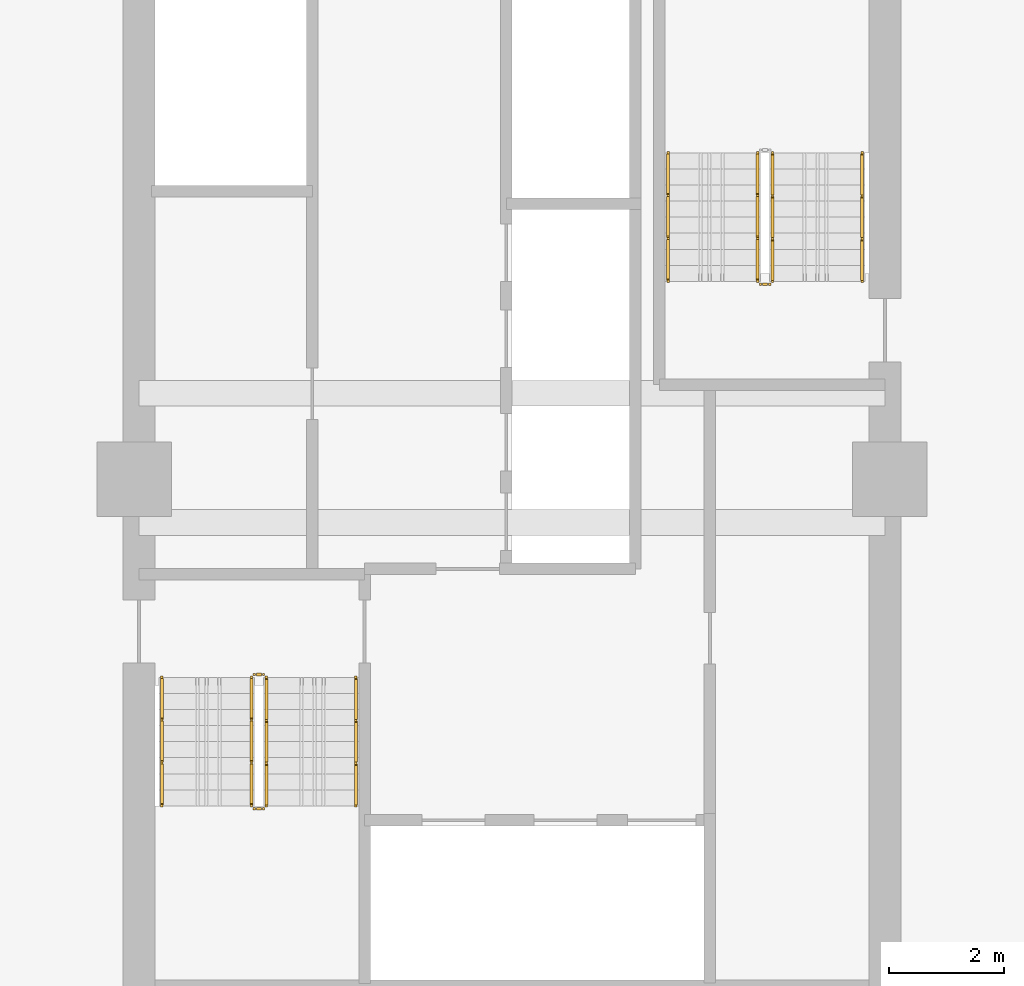
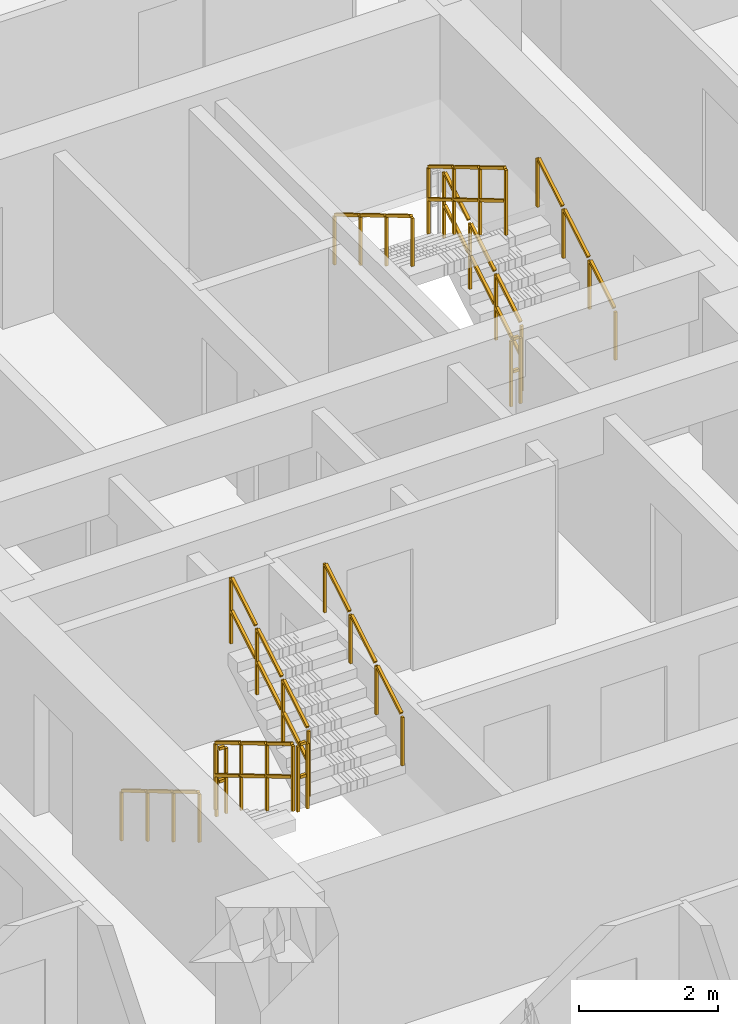
# One storey, part 20 of 22: 11 railings.
"""IFC4 building model written with IfcOpenShell, lengths in metres."""

from ifc_helpers import new_model, si_unit, direction, frame, origin, origin_2d, place, context, subcontext, project, spatial, rectangle, extrude, material, type_object, element, save


model = new_model("IFC4")

# Units and contexts
model_context = context("Model", 3, precision=1e-05, world=origin(), true_north=direction((0.0, 1.0)))
body_context = subcontext(model_context, "Body", "Model", "MODEL_VIEW")
ifc_project = project(units=[si_unit("LENGTHUNIT", "METRE"), si_unit("AREAUNIT", "SQUARE_METRE"), si_unit("VOLUMEUNIT", "CUBIC_METRE"), si_unit("PLANEANGLEUNIT", "RADIAN"), si_unit("MASSUNIT", "GRAM", prefix="KILO")], contexts=[model_context])

# Site, building, storey
site_placement = place(None, origin())
site = spatial("IfcSite", under=ifc_project, at=site_placement, CompositionType="ELEMENT")
building_placement = place(site_placement, origin())
building = spatial("IfcBuilding", under=site, at=building_placement, Name="Saelheon Loggia Tower", CompositionType="ELEMENT")
storey_placement = place(building_placement, frame((0.0, 0.0, 135.75)))
storey = spatial("IfcBuildingStorey", under=building, at=storey_placement, Name="L43", CompositionType="ELEMENT", Elevation=135.75)

# Railings
ifc_material_1 = material(Name="Galvanised Steel S275 Stairwell Guardrail", Category="steel")
railing_type_1 = type_object("IfcRailingType", Name="Guard_StairWell_RL_STG", PredefinedType="GUARDRAIL", material=ifc_material_1)
railing_1_placement = place(storey_placement, frame((33.4599609375, 23.550048828125, 0.166748046875)))
element("IfcRailing", 1, at=railing_1_placement, inside=storey, type_object=railing_type_1, Name="L43 ST1 stair guard 1", PredefinedType="GUARDRAIL", context=body_context, shape_type="SweptSolid", body=[
    extrude(rectangle(XDim=0.048095703125, YDim=0.048095703125, at=origin_2d()), frame((0.0, -0.028564453125, 1.19287109375), z_axis=(0.0, -0.859305625298, 0.511462454469), x_axis=(1.0, 0.0, 0.0)), (0.0, 0.0, 1.0), 0.802490234375),
    extrude(rectangle(XDim=0.048095703125, YDim=0.048095703125, at=origin_2d()), frame((0.0, -0.028564453125, 0.616943359375), z_axis=(0.0, -0.859305625298, 0.511462454469), x_axis=(1.0, 0.0, 0.0)), (0.0, 0.0, 1.0), 0.802490234375),
    extrude(rectangle(XDim=0.048095703125, YDim=0.048095703125, at=origin_2d()), frame((0.0, -0.775146484375, 1.63720703125), z_axis=(0.0, -0.859305625298, 0.511462454469), x_axis=(1.0, 0.0, 0.0)), (0.0, 0.0, 1.0), 0.802490234375),
    extrude(rectangle(XDim=0.048095703125, YDim=0.048095703125, at=origin_2d()), frame((0.0, -0.775146484375, 1.061279296875), z_axis=(0.0, -0.859305625298, 0.511462454469), x_axis=(1.0, 0.0, 0.0)), (0.0, 0.0, 1.0), 0.802490234375),
    extrude(rectangle(XDim=0.048095703125, YDim=0.048095703125, at=origin_2d()), frame((0.0, -1.52197265625, 2.081787109375), z_axis=(0.0, -0.859305625298, 0.511462454469), x_axis=(1.0, 0.0, 0.0)), (0.0, 0.0, 1.0), 0.802490234375),
    extrude(rectangle(XDim=0.048095703125, YDim=0.048095703125, at=origin_2d()), frame((0.0, -1.52197265625, 1.505859375), z_axis=(0.0, -0.859305625298, 0.511462454469), x_axis=(1.0, 0.0, 0.0)), (0.0, 0.0, 1.0), 0.802490234375),
    extrude(rectangle(XDim=0.0419921875, YDim=0.0419921875, at=origin_2d()), origin(), (0.0, 0.0, 1.0), 1.14794921875),
    extrude(rectangle(XDim=0.0419921875, YDim=0.0419921875, at=origin_2d()), frame((0.0, -0.74658203125, 0.4443359375)), (0.0, 0.0, 1.0), 1.14794921875),
    extrude(rectangle(XDim=0.0419921875, YDim=0.0419921875, at=origin_2d()), frame((0.0, -1.493408203125, 0.888916015625)), (0.0, 0.0, 1.0), 1.14794921875),
    extrude(rectangle(XDim=0.0419921875, YDim=0.0419921875, at=origin_2d()), frame((0.0, -2.239990234375, 1.333251953125)), (0.0, 0.0, 1.0), 1.14794921875),
])
railing_2_placement = place(storey_placement, frame((33.510009765625, 21.260009765625, 1.5)))
element("IfcRailing", 2, at=railing_2_placement, inside=storey, type_object=railing_type_1, Name="L43 ST1 stair guard 2", PredefinedType="GUARDRAIL", context=body_context, shape_type="SweptSolid", body=[
    extrude(rectangle(XDim=0.048095703125, YDim=0.048095703125, at=origin_2d()), frame((0.033203125, 0.0, 1.17578125), z_axis=(1.0, 0.0, 0.0), x_axis=(0.0, 1.0, 0.0)), (0.0, 0.0, 1.0), 0.093505859375),
    extrude(rectangle(XDim=0.048095703125, YDim=0.048095703125, at=origin_2d()), frame((0.033203125, 0.0, 0.60009765625), z_axis=(1.0, 0.0, 0.0), x_axis=(0.0, 1.0, 0.0)), (0.0, 0.0, 1.0), 0.093505859375),
    extrude(rectangle(XDim=0.0419921875, YDim=0.0419921875, at=origin_2d()), origin(), (0.0, 0.0, 1.0), 1.14794921875),
    extrude(rectangle(XDim=0.0419921875, YDim=0.0419921875, at=origin_2d()), frame((0.159912109375, 0.0, 0.0)), (0.0, 0.0, 1.0), 1.14794921875),
])
railing_3_placement = place(storey_placement, frame((33.719970703125, 21.31005859375, 1.666748046875)))
element("IfcRailing", 3, at=railing_3_placement, inside=storey, type_object=railing_type_1, Name="L43 ST1 stair guard 3", PredefinedType="GUARDRAIL", context=body_context, shape_type="SweptSolid", body=[
    extrude(rectangle(XDim=0.048095703125, YDim=0.048095703125, at=origin_2d()), frame((0.0, 0.028564453125, 1.19287109375), z_axis=(0.0, 0.859305625298, 0.511462454469), x_axis=(-1.0, 0.0, 0.0)), (0.0, 0.0, 1.0), 0.802490234375),
    extrude(rectangle(XDim=0.048095703125, YDim=0.048095703125, at=origin_2d()), frame((0.0, 0.028564453125, 0.616943359375), z_axis=(0.0, 0.859305625298, 0.511462454469), x_axis=(-1.0, 0.0, 0.0)), (0.0, 0.0, 1.0), 0.802490234375),
    extrude(rectangle(XDim=0.048095703125, YDim=0.048095703125, at=origin_2d()), frame((0.0, 0.775146484375, 1.63720703125), z_axis=(0.0, 0.859305625298, 0.511462454469), x_axis=(-1.0, 0.0, 0.0)), (0.0, 0.0, 1.0), 0.802490234375),
    extrude(rectangle(XDim=0.048095703125, YDim=0.048095703125, at=origin_2d()), frame((0.0, 0.775146484375, 1.061279296875), z_axis=(0.0, 0.859305625298, 0.511462454469), x_axis=(-1.0, 0.0, 0.0)), (0.0, 0.0, 1.0), 0.802490234375),
    extrude(rectangle(XDim=0.048095703125, YDim=0.048095703125, at=origin_2d()), frame((0.0, 1.52197265625, 2.081787109375), z_axis=(0.0, 0.859305625298, 0.511462454469), x_axis=(-1.0, 0.0, 0.0)), (0.0, 0.0, 1.0), 0.802490234375),
    extrude(rectangle(XDim=0.048095703125, YDim=0.048095703125, at=origin_2d()), frame((0.0, 1.52197265625, 1.505859375), z_axis=(0.0, 0.859305625298, 0.511462454469), x_axis=(-1.0, 0.0, 0.0)), (0.0, 0.0, 1.0), 0.802490234375),
    extrude(rectangle(XDim=0.0419921875, YDim=0.0419921875, at=origin_2d()), origin(), (0.0, 0.0, 1.0), 1.14794921875),
    extrude(rectangle(XDim=0.0419921875, YDim=0.0419921875, at=origin_2d()), frame((0.0, 0.74658203125, 0.4443359375)), (0.0, 0.0, 1.0), 1.14794921875),
    extrude(rectangle(XDim=0.0419921875, YDim=0.0419921875, at=origin_2d()), frame((0.0, 1.493408203125, 0.888916015625)), (0.0, 0.0, 1.0), 1.14794921875),
    extrude(rectangle(XDim=0.0419921875, YDim=0.0419921875, at=origin_2d()), frame((0.0, 2.239990234375, 1.333251953125)), (0.0, 0.0, 1.0), 1.14794921875),
])
railing_4_placement = place(storey_placement, frame((33.510009765625, 23.60009765625, 0.0)))
element("IfcRailing", 4, at=railing_4_placement, inside=storey, type_object=railing_type_1, Name="L43 ST1 stair guard 4", PredefinedType="GUARDRAIL", context=body_context, shape_type="SweptSolid", body=[
    extrude(rectangle(XDim=0.048095703125, YDim=0.048095703125, at=origin_2d()), frame((0.033203125, 0.0, 1.17578125), z_axis=(1.0, 0.0, 0.0), x_axis=(0.0, 1.0, 0.0)), (0.0, 0.0, 1.0), 0.093505859375),
    extrude(rectangle(XDim=0.048095703125, YDim=0.048095703125, at=origin_2d()), frame((0.033203125, 0.0, 0.60009765625), z_axis=(1.0, 0.0, 0.0), x_axis=(0.0, 1.0, 0.0)), (0.0, 0.0, 1.0), 0.093505859375),
    extrude(rectangle(XDim=0.0419921875, YDim=0.0419921875, at=origin_2d()), origin(), (0.0, 0.0, 1.0), 1.14794921875),
    extrude(rectangle(XDim=0.0419921875, YDim=0.0419921875, at=origin_2d()), frame((0.159912109375, 0.0, 0.0)), (0.0, 0.0, 1.0), 1.14794921875),
])
railing_5_placement = place(storey_placement, frame((42.5400390625, 30.449951171875, 0.166748046875)))
element("IfcRailing", 5, at=railing_5_placement, inside=storey, type_object=railing_type_1, Name="L43 ST2 stair guard 1", PredefinedType="GUARDRAIL", context=body_context, shape_type="SweptSolid", body=[
    extrude(rectangle(XDim=0.048095703125, YDim=0.048095703125, at=origin_2d()), frame((0.0, 0.028564453125, 1.19287109375), z_axis=(0.0, 0.859305625298, 0.511462454469), x_axis=(-1.0, 0.0, 0.0)), (0.0, 0.0, 1.0), 0.802490234375),
    extrude(rectangle(XDim=0.048095703125, YDim=0.048095703125, at=origin_2d()), frame((0.0, 0.028564453125, 0.616943359375), z_axis=(0.0, 0.859305625298, 0.511462454469), x_axis=(-1.0, 0.0, 0.0)), (0.0, 0.0, 1.0), 0.802490234375),
    extrude(rectangle(XDim=0.048095703125, YDim=0.048095703125, at=origin_2d()), frame((0.0, 0.775146484375, 1.63720703125), z_axis=(0.0, 0.859305625298, 0.511462454469), x_axis=(-1.0, 0.0, 0.0)), (0.0, 0.0, 1.0), 0.802490234375),
    extrude(rectangle(XDim=0.048095703125, YDim=0.048095703125, at=origin_2d()), frame((0.0, 0.775146484375, 1.061279296875), z_axis=(0.0, 0.859305625298, 0.511462454469), x_axis=(-1.0, 0.0, 0.0)), (0.0, 0.0, 1.0), 0.802490234375),
    extrude(rectangle(XDim=0.048095703125, YDim=0.048095703125, at=origin_2d()), frame((0.0, 1.52197265625, 2.081787109375), z_axis=(0.0, 0.859305625298, 0.511462454469), x_axis=(-1.0, 0.0, 0.0)), (0.0, 0.0, 1.0), 0.802490234375),
    extrude(rectangle(XDim=0.048095703125, YDim=0.048095703125, at=origin_2d()), frame((0.0, 1.52197265625, 1.505859375), z_axis=(0.0, 0.859305625298, 0.511462454469), x_axis=(-1.0, 0.0, 0.0)), (0.0, 0.0, 1.0), 0.802490234375),
    extrude(rectangle(XDim=0.0419921875, YDim=0.0419921875, at=origin_2d()), origin(), (0.0, 0.0, 1.0), 1.14794921875),
    extrude(rectangle(XDim=0.0419921875, YDim=0.0419921875, at=origin_2d()), frame((0.0, 0.74658203125, 0.4443359375)), (0.0, 0.0, 1.0), 1.14794921875),
    extrude(rectangle(XDim=0.0419921875, YDim=0.0419921875, at=origin_2d()), frame((0.0, 1.493408203125, 0.888916015625)), (0.0, 0.0, 1.0), 1.14794921875),
    extrude(rectangle(XDim=0.0419921875, YDim=0.0419921875, at=origin_2d()), frame((0.0, 2.239990234375, 1.333251953125)), (0.0, 0.0, 1.0), 1.14794921875),
])
railing_6_placement = place(storey_placement, frame((42.280029296875, 32.68994140625, 1.666748046875)))
element("IfcRailing", 6, at=railing_6_placement, inside=storey, type_object=railing_type_1, Name="L43 ST2 stair guard 3", PredefinedType="GUARDRAIL", context=body_context, shape_type="SweptSolid", body=[
    extrude(rectangle(XDim=0.048095703125, YDim=0.048095703125, at=origin_2d()), frame((0.0, -0.028564453125, 1.19287109375), z_axis=(0.0, -0.859305625298, 0.511462454469), x_axis=(1.0, 0.0, 0.0)), (0.0, 0.0, 1.0), 0.802490234375),
    extrude(rectangle(XDim=0.048095703125, YDim=0.048095703125, at=origin_2d()), frame((0.0, -0.028564453125, 0.616943359375), z_axis=(0.0, -0.859305625298, 0.511462454469), x_axis=(1.0, 0.0, 0.0)), (0.0, 0.0, 1.0), 0.802490234375),
    extrude(rectangle(XDim=0.048095703125, YDim=0.048095703125, at=origin_2d()), frame((0.0, -0.775146484375, 1.63720703125), z_axis=(0.0, -0.859305625298, 0.511462454469), x_axis=(1.0, 0.0, 0.0)), (0.0, 0.0, 1.0), 0.802490234375),
    extrude(rectangle(XDim=0.048095703125, YDim=0.048095703125, at=origin_2d()), frame((0.0, -0.775146484375, 1.061279296875), z_axis=(0.0, -0.859305625298, 0.511462454469), x_axis=(1.0, 0.0, 0.0)), (0.0, 0.0, 1.0), 0.802490234375),
    extrude(rectangle(XDim=0.048095703125, YDim=0.048095703125, at=origin_2d()), frame((0.0, -1.52197265625, 2.081787109375), z_axis=(0.0, -0.859305625298, 0.511462454469), x_axis=(1.0, 0.0, 0.0)), (0.0, 0.0, 1.0), 0.802490234375),
    extrude(rectangle(XDim=0.048095703125, YDim=0.048095703125, at=origin_2d()), frame((0.0, -1.52197265625, 1.505859375), z_axis=(0.0, -0.859305625298, 0.511462454469), x_axis=(1.0, 0.0, 0.0)), (0.0, 0.0, 1.0), 0.802490234375),
    extrude(rectangle(XDim=0.0419921875, YDim=0.0419921875, at=origin_2d()), origin(), (0.0, 0.0, 1.0), 1.14794921875),
    extrude(rectangle(XDim=0.0419921875, YDim=0.0419921875, at=origin_2d()), frame((0.0, -0.74658203125, 0.4443359375)), (0.0, 0.0, 1.0), 1.14794921875),
    extrude(rectangle(XDim=0.0419921875, YDim=0.0419921875, at=origin_2d()), frame((0.0, -1.493408203125, 0.888916015625)), (0.0, 0.0, 1.0), 1.14794921875),
    extrude(rectangle(XDim=0.0419921875, YDim=0.0419921875, at=origin_2d()), frame((0.0, -2.239990234375, 1.333251953125)), (0.0, 0.0, 1.0), 1.14794921875),
])
railing_7_placement = place(storey_placement, frame((42.489990234375, 30.39990234375, 0.0)))
element("IfcRailing", 7, at=railing_7_placement, inside=storey, type_object=railing_type_1, Name="L43 ST2 stair guard 4", PredefinedType="GUARDRAIL", context=body_context, shape_type="SweptSolid", body=[
    extrude(rectangle(XDim=0.048095703125, YDim=0.048095703125, at=origin_2d()), frame((-0.033203125, 0.0, 1.17578125), z_axis=(-1.0, 0.0, 0.0), x_axis=(0.0, -1.0, 0.0)), (0.0, 0.0, 1.0), 0.093505859375),
    extrude(rectangle(XDim=0.048095703125, YDim=0.048095703125, at=origin_2d()), frame((-0.033203125, 0.0, 0.60009765625), z_axis=(-1.0, 0.0, 0.0), x_axis=(0.0, -1.0, 0.0)), (0.0, 0.0, 1.0), 0.093505859375),
    extrude(rectangle(XDim=0.0419921875, YDim=0.0419921875, at=origin_2d()), origin(), (0.0, 0.0, 1.0), 1.14794921875),
    extrude(rectangle(XDim=0.0419921875, YDim=0.0419921875, at=origin_2d()), frame((-0.159912109375, 0.0, 0.0)), (0.0, 0.0, 1.0), 1.14794921875),
])
ifc_material_2 = material(Name="Stainless Steel 304 Tubular Handrail", Category="steel")
railing_type_2 = type_object("IfcRailingType", Name="Handrail_Stair_RL_HR1", PredefinedType="HANDRAIL", material=ifc_material_2)
railing_8_placement = place(storey_placement, frame((31.89990234375, 23.550048828125, 0.166748046875)))
element("IfcRailing", 8, at=railing_8_placement, inside=storey, type_object=railing_type_2, Name="L43 ST1 stair handrail 1", PredefinedType="HANDRAIL", context=body_context, shape_type="SweptSolid", body=[
    extrude(rectangle(XDim=0.048095703125, YDim=0.048095703125, at=origin_2d()), frame((0.0, -0.028564453125, 0.892822265625), z_axis=(0.0, -0.859305625298, 0.511462454469), x_axis=(1.0, 0.0, 0.0)), (0.0, 0.0, 1.0), 0.802490234375),
    extrude(rectangle(XDim=0.048095703125, YDim=0.048095703125, at=origin_2d()), frame((0.0, -0.775146484375, 1.337158203125), z_axis=(0.0, -0.859305625298, 0.511462454469), x_axis=(1.0, 0.0, 0.0)), (0.0, 0.0, 1.0), 0.802490234375),
    extrude(rectangle(XDim=0.048095703125, YDim=0.048095703125, at=origin_2d()), frame((0.0, -1.52197265625, 1.78173828125), z_axis=(0.0, -0.859305625298, 0.511462454469), x_axis=(1.0, 0.0, 0.0)), (0.0, 0.0, 1.0), 0.802490234375),
    extrude(rectangle(XDim=0.0419921875, YDim=0.0419921875, at=origin_2d()), origin(), (0.0, 0.0, 1.0), 0.847900390625),
    extrude(rectangle(XDim=0.0419921875, YDim=0.0419921875, at=origin_2d()), frame((0.0, -0.74658203125, 0.4443359375)), (0.0, 0.0, 1.0), 0.847900390625),
    extrude(rectangle(XDim=0.0419921875, YDim=0.0419921875, at=origin_2d()), frame((0.0, -1.493408203125, 0.888916015625)), (0.0, 0.0, 1.0), 0.847900390625),
    extrude(rectangle(XDim=0.0419921875, YDim=0.0419921875, at=origin_2d()), frame((0.0, -2.239990234375, 1.333251953125)), (0.0, 0.0, 1.0), 0.847900390625),
])
for number, where, name in (
    (9, (35.280029296875, 21.31005859375, 1.666748046875), "L43 ST1 stair handrail 2"),
    (10, (44.10009765625, 30.449951171875, 0.166748046875), "L43 ST2 stair handrail 1"),
):
    element("IfcRailing", number, at=place(storey_placement, frame(where)), inside=storey, type_object=railing_type_2, Name=name, PredefinedType="HANDRAIL", context=body_context, shape_type="SweptSolid", body=[
        extrude(rectangle(XDim=0.048095703125, YDim=0.048095703125, at=origin_2d()), frame((0.0, 0.028564453125, 0.892822265625), z_axis=(0.0, 0.859305625298, 0.511462454469), x_axis=(-1.0, 0.0, 0.0)), (0.0, 0.0, 1.0), 0.802490234375),
        extrude(rectangle(XDim=0.048095703125, YDim=0.048095703125, at=origin_2d()), frame((0.0, 0.775146484375, 1.337158203125), z_axis=(0.0, 0.859305625298, 0.511462454469), x_axis=(-1.0, 0.0, 0.0)), (0.0, 0.0, 1.0), 0.802490234375),
        extrude(rectangle(XDim=0.048095703125, YDim=0.048095703125, at=origin_2d()), frame((0.0, 1.52197265625, 1.78173828125), z_axis=(0.0, 0.859305625298, 0.511462454469), x_axis=(-1.0, 0.0, 0.0)), (0.0, 0.0, 1.0), 0.802490234375),
        extrude(rectangle(XDim=0.0419921875, YDim=0.0419921875, at=origin_2d()), origin(), (0.0, 0.0, 1.0), 0.847900390625),
        extrude(rectangle(XDim=0.0419921875, YDim=0.0419921875, at=origin_2d()), frame((0.0, 0.74658203125, 0.4443359375)), (0.0, 0.0, 1.0), 0.847900390625),
        extrude(rectangle(XDim=0.0419921875, YDim=0.0419921875, at=origin_2d()), frame((0.0, 1.493408203125, 0.888916015625)), (0.0, 0.0, 1.0), 0.847900390625),
        extrude(rectangle(XDim=0.0419921875, YDim=0.0419921875, at=origin_2d()), frame((0.0, 2.239990234375, 1.333251953125)), (0.0, 0.0, 1.0), 0.847900390625),
    ])
railing_9_placement = place(storey_placement, frame((40.719970703125, 32.68994140625, 1.666748046875)))
element("IfcRailing", 11, at=railing_9_placement, inside=storey, type_object=railing_type_2, Name="L43 ST2 stair handrail 2", PredefinedType="HANDRAIL", context=body_context, shape_type="SweptSolid", body=[
    extrude(rectangle(XDim=0.048095703125, YDim=0.048095703125, at=origin_2d()), frame((0.0, -0.028564453125, 0.892822265625), z_axis=(0.0, -0.859305625298, 0.511462454469), x_axis=(1.0, 0.0, 0.0)), (0.0, 0.0, 1.0), 0.802490234375),
    extrude(rectangle(XDim=0.048095703125, YDim=0.048095703125, at=origin_2d()), frame((0.0, -0.775146484375, 1.337158203125), z_axis=(0.0, -0.859305625298, 0.511462454469), x_axis=(1.0, 0.0, 0.0)), (0.0, 0.0, 1.0), 0.802490234375),
    extrude(rectangle(XDim=0.048095703125, YDim=0.048095703125, at=origin_2d()), frame((0.0, -1.52197265625, 1.78173828125), z_axis=(0.0, -0.859305625298, 0.511462454469), x_axis=(1.0, 0.0, 0.0)), (0.0, 0.0, 1.0), 0.802490234375),
    extrude(rectangle(XDim=0.0419921875, YDim=0.0419921875, at=origin_2d()), origin(), (0.0, 0.0, 1.0), 0.847900390625),
    extrude(rectangle(XDim=0.0419921875, YDim=0.0419921875, at=origin_2d()), frame((0.0, -0.74658203125, 0.4443359375)), (0.0, 0.0, 1.0), 0.847900390625),
    extrude(rectangle(XDim=0.0419921875, YDim=0.0419921875, at=origin_2d()), frame((0.0, -1.493408203125, 0.888916015625)), (0.0, 0.0, 1.0), 0.847900390625),
    extrude(rectangle(XDim=0.0419921875, YDim=0.0419921875, at=origin_2d()), frame((0.0, -2.239990234375, 1.333251953125)), (0.0, 0.0, 1.0), 0.847900390625),
])

save(model, "model.ifc")
